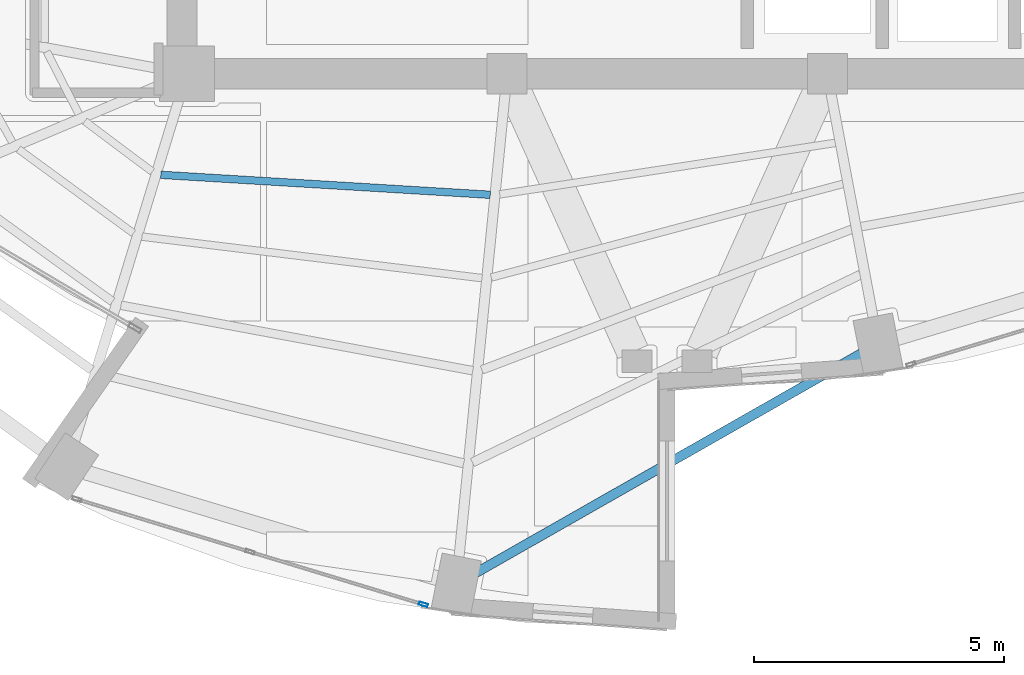
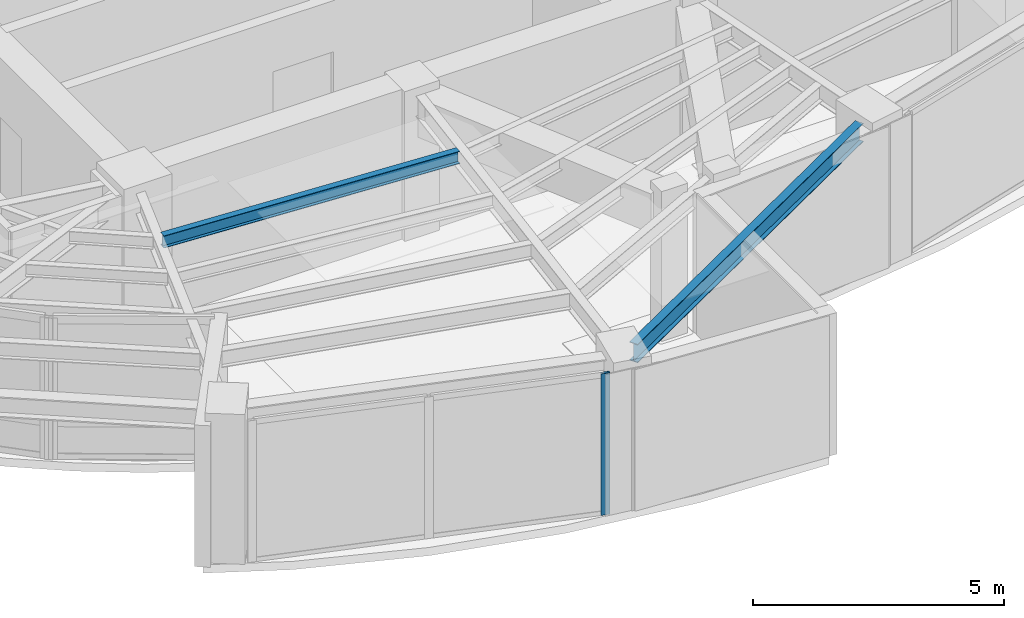
# One storey, part 4 of 22: 2 beams, 1 member, 1 element without a shape of its own.
"""IFC4 building model written with IfcOpenShell, lengths in metres."""

from ifc_helpers import new_model, si_unit, direction, frame, origin, origin_2d, place, context, subcontext, project, spatial, hollow_rectangle, i_section, extrude, material, layer, layer_set, material_profile, profile_set, type_object, element, aggregate, save


model = new_model("IFC4")

# Units and contexts
model_context = context("Model", 3, precision=1e-05, world=origin(), true_north=direction((0.0, 1.0)))
body_context = subcontext(model_context, "Body", "Model", "MODEL_VIEW")
ifc_project = project(units=[si_unit("LENGTHUNIT", "METRE"), si_unit("AREAUNIT", "SQUARE_METRE"), si_unit("VOLUMEUNIT", "CUBIC_METRE"), si_unit("PLANEANGLEUNIT", "RADIAN"), si_unit("MASSUNIT", "GRAM", prefix="KILO")], contexts=[model_context])

# Site, building, storey
site_placement = place(None, origin())
site = spatial("IfcSite", under=ifc_project, at=site_placement, CompositionType="ELEMENT")
building_placement = place(site_placement, origin())
building = spatial("IfcBuilding", under=site, at=building_placement, Name="Lazwardi Medical Tower", CompositionType="ELEMENT")
storey_placement = place(building_placement, frame((0.0, 0.0, 224.01611328125)))
storey = spatial("IfcBuildingStorey", under=building, at=storey_placement, Name="L58", CompositionType="ELEMENT", Elevation=224.01611328125)

# Beams
ifc_material_1 = material(Name="Steel S355", Category="steel")
ifc_material_profile_1 = material_profile(ifc_material_1, i_section(OverallWidth=0.14990234375, OverallDepth=0.300048828125, WebThickness=0.007080078125, FlangeThickness=0.0107421875, at=origin_2d()), Name="IPE 300")
ifc_profile_set_1 = profile_set([ifc_material_profile_1], Name="Steel S355")
beam_type_1 = type_object("IfcBeamType", Name="BM-SJ-03", PredefinedType="JOIST", material=ifc_profile_set_1)
beam_1_placement = place(storey_placement, frame((25.879150390625, 18.3798828125, 3.2978515625), z_axis=(0.998165515862, -0.060544223044, 0.0), x_axis=(0.060544223044, 0.998165515862, 0.0)))
element("IfcBeam", 1, at=beam_1_placement, inside=storey, type_object=beam_type_1, Name="Secondary joist SJ-03 R4 B15 L58", PredefinedType="JOIST", context=body_context, shape_type="SweptSolid", body=[
    extrude(i_section(OverallWidth=0.14990234375, OverallDepth=0.300048828125, WebThickness=0.007080078125, FlangeThickness=0.0107421875, at=origin_2d()), origin(), (0.0, 0.0, 1.0), 6.59716796875),
])
ifc_material_profile_2 = material_profile(ifc_material_1, i_section(OverallWidth=0.18994140625, OverallDepth=0.449951171875, WebThickness=0.009521484375, FlangeThickness=0.0146484375, at=origin_2d()), Name="IPE 450")
ifc_profile_set_2 = profile_set([ifc_material_profile_2], Name="Steel S355")
beam_type_2 = type_object("IfcBeamType", Name="BM-SP-01", PredefinedType="SPANDREL", material=ifc_profile_set_2)
beam_2_placement = place(storey_placement, frame((32.125, 10.394775390625, 3.222900390625), z_axis=(0.868954808466, 0.494891443494, 0.0), x_axis=(-0.494891443494, 0.868954808466, 0.0)))
element("IfcBeam", 2, at=beam_2_placement, inside=storey, type_object=beam_type_2, Name="Spandrel beam SP-01 B16 L58", PredefinedType="SPANDREL", context=body_context, shape_type="SweptSolid", body=[
    extrude(i_section(OverallWidth=0.18994140625, OverallDepth=0.449951171875, WebThickness=0.009521484375, FlangeThickness=0.0146484375, at=origin_2d()), origin(), (0.0, 0.0, 1.0), 8.918701171875),
])

# Curtain wall, member
ifc_material_2 = material(Name="Anodised bronze aluminium and solar control glazing", Category="aluminium")
ifc_layer = layer(ifc_material_2, 0.18994140625)
ifc_layer_set = layer_set([ifc_layer], Name="Anodised bronze aluminium and solar control glazing")
curtain_wall_type = type_object("IfcCurtainWallType", Name="CW-SYS-04", PredefinedType="NOTDEFINED", material=ifc_layer_set)
curtain_wall_placement = place(storey_placement, origin())
curtain_wall = element("IfcCurtainWall", 3, at=curtain_wall_placement, inside=storey, type_object=curtain_wall_type, Name="L58 Unitised bronze curtain wall CW-04", PredefinedType="NOTDEFINED")
ifc_material_3 = material(Name="Anodised bronze aluminium", Category="aluminium")
ifc_material_profile_3 = material_profile(ifc_material_3, hollow_rectangle(XDim=0.06494140625, YDim=0.179931640625, WallThickness=0.00390625, at=origin_2d()), Name="ALU-MULLION 180x65x4")
ifc_profile_set_3 = profile_set([ifc_material_profile_3], Name="Anodised bronze aluminium")
member_type = type_object("IfcMemberType", Name="CW-MUL-03", PredefinedType="MULLION", material=ifc_profile_set_3)
member_placement = place(storey_placement, frame((31.126953125, 9.79296875, 0.0), z_axis=(0.0, 0.0, 1.0), x_axis=(0.290581889515, 0.956850126972, 0.0)))
member = element("IfcMember", 4, at=member_placement, type_object=member_type, Name="CW-04 mullion 3", PredefinedType="MULLION", context=body_context, shape_type="SweptSolid", body=[
    extrude(hollow_rectangle(XDim=0.06494140625, YDim=0.179931640625, WallThickness=0.00390625, at=origin_2d()), origin(), (0.0, 0.0, 1.0), 3.447998046875),
])
aggregate(curtain_wall, [member])

save(model, "model.ifc")
